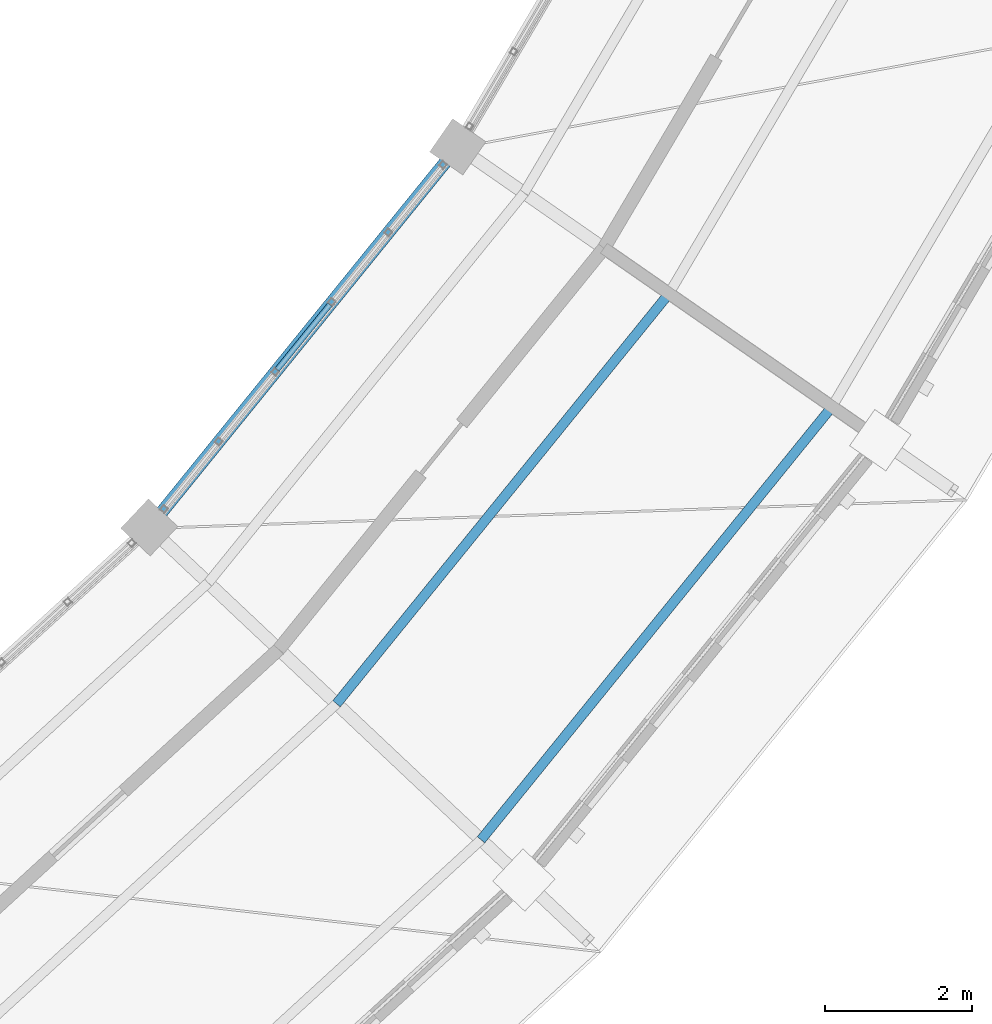
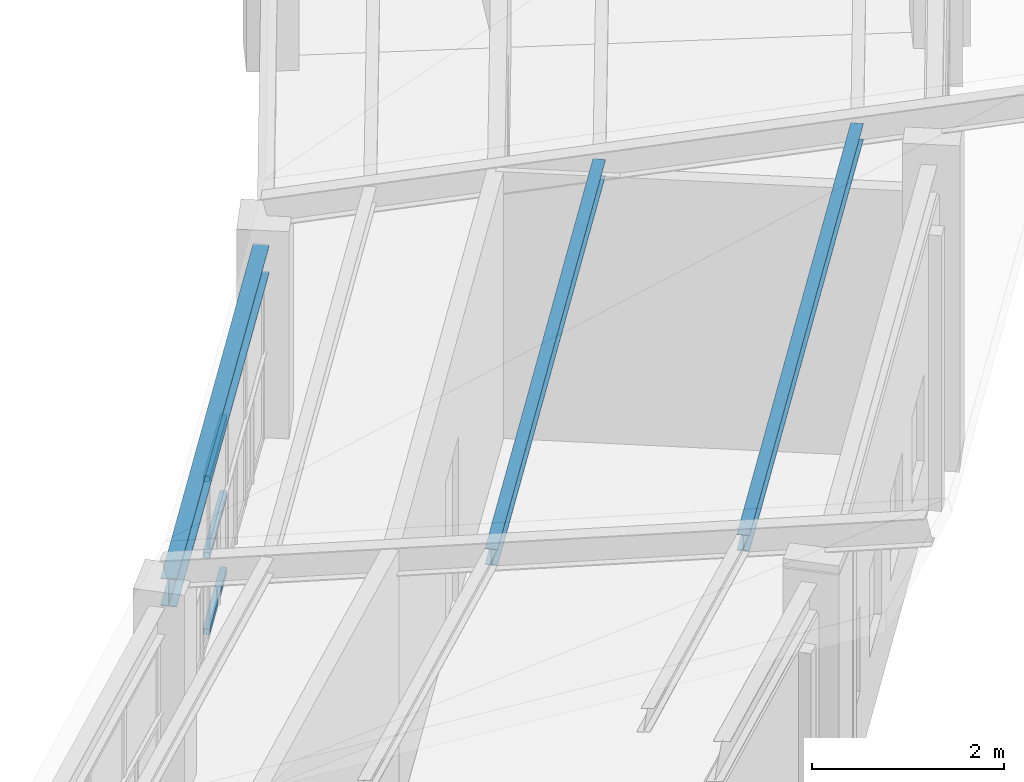
# One storey, part 52 of 149: 5 members, 1 beam, 1 element without a shape of its own.
"""IFC4 building model written with IfcOpenShell, lengths in metres."""

from ifc_helpers import new_model, si_unit, direction, frame, origin, origin_2d, place, context, subcontext, project, spatial, hollow_rectangle, i_section, extrude, material, material_profile, profile_set, type_object, element, aggregate, save


model = new_model("IFC4")

# Units and contexts
model_context = context("Model", 3, precision=1e-05, world=origin(), true_north=direction((0.0, 1.0)))
body_context = subcontext(model_context, "Body", "Model", "MODEL_VIEW")
ifc_project = project(units=[si_unit("LENGTHUNIT", "METRE"), si_unit("AREAUNIT", "SQUARE_METRE"), si_unit("VOLUMEUNIT", "CUBIC_METRE"), si_unit("PLANEANGLEUNIT", "RADIAN"), si_unit("MASSUNIT", "GRAM", prefix="KILO")], contexts=[model_context])

# Site, building, storey
site_placement = place(None, origin())
site = spatial("IfcSite", under=ifc_project, at=site_placement, CompositionType="ELEMENT")
building_placement = place(site_placement, origin())
building = spatial("IfcBuilding", under=site, at=building_placement, Name="Celadon Cloister-Ring School", CompositionType="ELEMENT")
storey_placement = place(building_placement, frame((0.0, 0.0, 12.5)))
storey = spatial("IfcBuildingStorey", under=building, at=storey_placement, Name="L03", CompositionType="ELEMENT", Elevation=12.5)

# Curtain wall, members
ifc_material_1 = material(Name="Aluminium EN AW-6063 T6", Category="aluminium")
curtain_wall_type = type_object("IfcCurtainWallType", Name="CW-02", PredefinedType="USERDEFINED", material=ifc_material_1)
curtain_wall_placement = place(storey_placement, origin())
curtain_wall = element("IfcCurtainWall", 1, at=curtain_wall_placement, inside=storey, type_object=curtain_wall_type, Name="Curtain Wall 0067", ObjectType="CURTAIN WALL", PredefinedType="USERDEFINED")
ifc_material_2 = material(Name="Aluminium EN AW-6063 T6", Category="aluminium")
ifc_material_profile_1 = material_profile(ifc_material_2, hollow_rectangle(XDim=0.074951171875, YDim=0.074951171875, WallThickness=0.00390625, at=origin_2d()), Name="RHS75X75X4")
ifc_profile_set_1 = profile_set([ifc_material_profile_1], Name="Aluminium EN AW-6063 T6")
member_type_1 = type_object("IfcMemberType", Name="CTM-03", PredefinedType="USERDEFINED", material=ifc_profile_set_1)
member_1_placement = place(storey_placement, frame((121.50390625, 30.300048828125, 0.03759765625), z_axis=(0.6297147847, 0.776826422008, 0.0), x_axis=(-0.776826422008, 0.6297147847, 0.0)))
member_1 = element("IfcMember", 2, at=member_1_placement, type_object=member_type_1, Name="CW-02 transom 3.1", ObjectType="TRANSOM", PredefinedType="USERDEFINED", context=body_context, shape_type="SweptSolid", body=[
    extrude(hollow_rectangle(XDim=0.074951171875, YDim=0.074951171875, WallThickness=0.00390625, at=origin_2d()), origin(), (0.0, 0.0, 1.0), 1.141845703125),
])
member_2_placement = place(storey_placement, frame((121.50390625, 30.300048828125, 1.010009765625), z_axis=(0.6297147847, 0.776826422008, 0.0), x_axis=(-0.776826422008, 0.6297147847, 0.0)))
member_2 = element("IfcMember", 3, at=member_2_placement, type_object=member_type_1, Name="CW-02 transom 3.2", ObjectType="TRANSOM", PredefinedType="USERDEFINED", context=body_context, shape_type="SweptSolid", body=[
    extrude(hollow_rectangle(XDim=0.074951171875, YDim=0.074951171875, WallThickness=0.00390625, at=origin_2d()), origin(), (0.0, 0.0, 1.0), 1.141845703125),
])
member_3_placement = place(storey_placement, frame((121.50390625, 30.300048828125, 1.982421875), z_axis=(0.6297147847, 0.776826422008, 0.0), x_axis=(-0.776826422008, 0.6297147847, 0.0)))
member_3 = element("IfcMember", 4, at=member_3_placement, type_object=member_type_1, Name="CW-02 transom 3.3", ObjectType="TRANSOM", PredefinedType="USERDEFINED", context=body_context, shape_type="SweptSolid", body=[
    extrude(hollow_rectangle(XDim=0.074951171875, YDim=0.074951171875, WallThickness=0.00390625, at=origin_2d()), origin(), (0.0, 0.0, 1.0), 1.141845703125),
])
aggregate(curtain_wall, [member_1, member_2, member_3])

# Beam
ifc_material_3 = material(Name="Structural steel S355JR", Category="steel")
ifc_material_profile_2 = material_profile(ifc_material_3, i_section(OverallWidth=0.1708984375, OverallDepth=0.35498046875, WebThickness=0.007080078125, FlangeThickness=0.01171875, at=origin_2d()), Name="W360X51")
ifc_profile_set_2 = profile_set([ifc_material_profile_2], Name="Structural steel S355JR")
beam_type = type_object("IfcBeamType", Name="GT-08", PredefinedType="USERDEFINED", material=ifc_profile_set_2)
beam_placement = place(storey_placement, frame((119.922119140625, 28.347900390625, 2.27197265625), z_axis=(0.629626347121, 0.776898103364, 0.0), x_axis=(-0.776898103364, 0.629626347121, 0.0)))
element("IfcBeam", 5, at=beam_placement, inside=storey, type_object=beam_type, Name="Beam 0568", ObjectType="GIRDER", PredefinedType="USERDEFINED", context=body_context, shape_type="SweptSolid", body=[
    extrude(i_section(OverallWidth=0.1708984375, OverallDepth=0.35498046875, WebThickness=0.007080078125, FlangeThickness=0.01171875, at=origin_2d()), origin(), (0.0, 0.0, 1.0), 6.166748046875),
])

# Members
ifc_material_4 = material(Name="Structural steel S355JR", Category="steel")
ifc_material_profile_3 = material_profile(ifc_material_4, i_section(OverallWidth=0.133056640625, OverallDepth=0.20703125, WebThickness=0.005859375, FlangeThickness=0.00830078125, at=origin_2d()), Name="W200X27")
ifc_profile_set_3 = profile_set([ifc_material_profile_3], Name="Structural steel S355JR")
member_type_2 = type_object("IfcMemberType", Name="MP-04", PredefinedType="PURLIN", material=ifc_profile_set_3)
member_4_placement = place(storey_placement, frame((122.31298828125, 25.7548828125, 3.4599609375), z_axis=(0.629630176297, 0.776895000046, 0.0), x_axis=(-0.776895000046, 0.629630176297, 0.0)))
element("IfcMember", 6, at=member_4_placement, inside=storey, type_object=member_type_2, Name="Structural Member 0196", PredefinedType="PURLIN", context=body_context, shape_type="SweptSolid", body=[
    extrude(i_section(OverallWidth=0.133056640625, OverallDepth=0.20703125, WebThickness=0.005859375, FlangeThickness=0.00830078125, at=origin_2d()), origin(), (0.0, 0.0, 1.0), 7.18505859375),
])
member_5_placement = place(storey_placement, frame((124.279052734375, 23.904052734375, 4.073974609375), z_axis=(0.629620344145, 0.776902968355, 0.0), x_axis=(-0.776902968355, 0.629620344145, 0.0)))
element("IfcMember", 7, at=member_5_placement, inside=storey, type_object=member_type_2, Name="Structural Member 0197", PredefinedType="PURLIN", context=body_context, shape_type="SweptSolid", body=[
    extrude(i_section(OverallWidth=0.133056640625, OverallDepth=0.20703125, WebThickness=0.005859375, FlangeThickness=0.00830078125, at=origin_2d()), origin(), (0.0, 0.0, 1.0), 7.58544921875),
])

save(model, "model.ifc")
